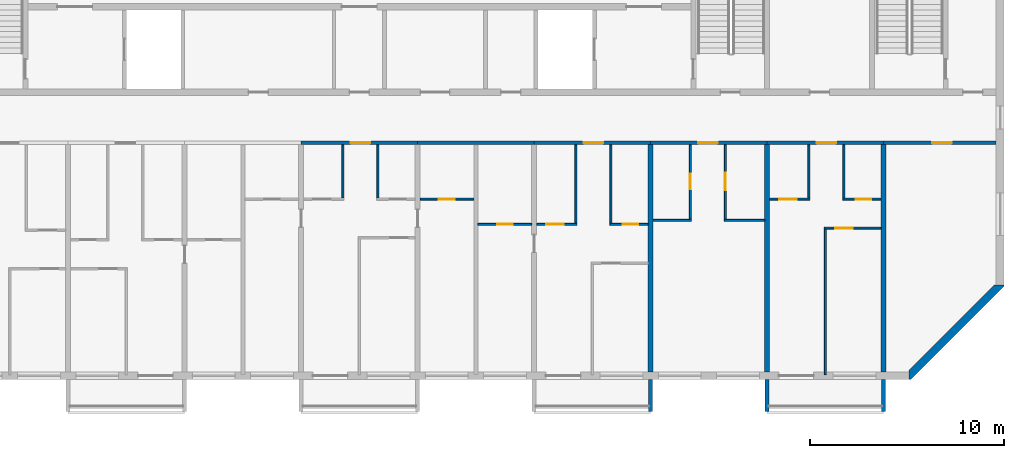
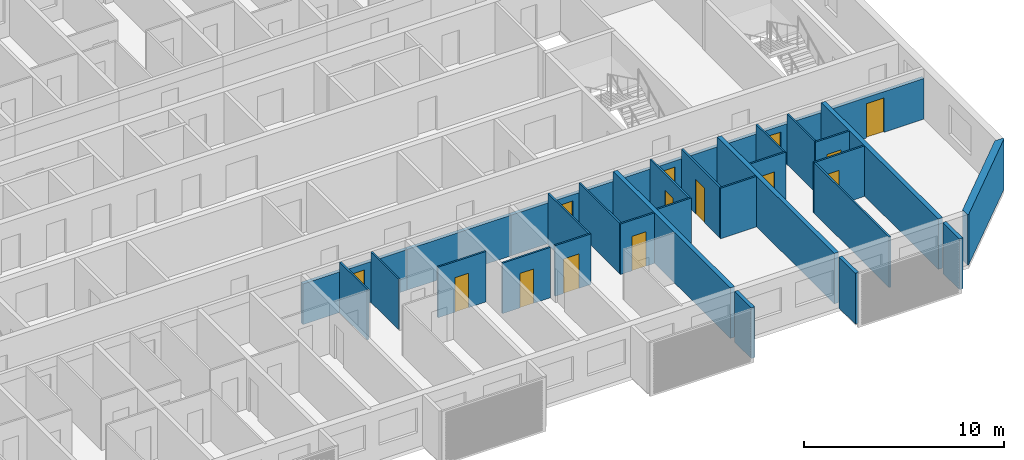
# One storey, part 5 of 26: 31 walls, 14 doors, 14 openings.
"""IFC4 building model written with IfcOpenShell, lengths in metres."""

from ifc_helpers import new_model, si_unit, direction, frame, frame_2d, origin, place, context, subcontext, project, spatial, polyline, rectangle, outline, extrude, source, transform, mapped, material, layer, layer_set, type_object, element, fill, save


model = new_model("IFC4")

# Units and contexts
model_context = context("Model", 3, precision=1e-05, world=origin(), true_north=direction((0.0, 1.0)))
body_context = subcontext(model_context, "Body", "Model", "MODEL_VIEW")
ifc_project = project(units=[si_unit("LENGTHUNIT", "METRE"), si_unit("AREAUNIT", "SQUARE_METRE"), si_unit("VOLUMEUNIT", "CUBIC_METRE"), si_unit("PLANEANGLEUNIT", "RADIAN"), si_unit("MASSUNIT", "GRAM", prefix="KILO")], contexts=[model_context])

# Site, building, storey
site_placement = place(None, origin())
site = spatial("IfcSite", under=ifc_project, at=site_placement, CompositionType="ELEMENT")
building_placement = place(site_placement, origin())
building = spatial("IfcBuilding", under=site, at=building_placement, Name="Poui Terraces", CompositionType="ELEMENT")
storey_placement = place(building_placement, frame((0.0, 0.0, 224.699951171875)))
storey = spatial("IfcBuildingStorey", under=building, at=storey_placement, Name="L62", CompositionType="ELEMENT", Elevation=224.699951171875)

# Wall, opening, door
ifc_material_1 = material(Name="Concrete 50 MPa", Category="concrete")
ifc_layer_1 = layer(ifc_material_1, 0.199951171875)
ifc_layer_set_1 = layer_set([ifc_layer_1], Name="Concrete 50 MPa")
wall_type_1 = type_object("IfcWallType", Name="CORRIDOR WALL 200 50MPa", PredefinedType="SHEAR", material=ifc_layer_set_1)
wall_1_placement = place(storey_placement, frame((48.0, 12.0, 0.0), z_axis=(0.0, 0.0, 1.0), x_axis=(1.0, 0.0, 0.0)))
wall_1 = element("IfcWall", 1, at=wall_1_placement, inside=storey, type_object=wall_type_1, Name="CORRIDOR WALL LINE B BAY 6", PredefinedType="SHEAR", context=body_context, shape_type="SweptSolid", body=[
    extrude(rectangle(XDim=6.0, YDim=0.199951171875, at=frame_2d((3.0, 0.0))), origin(), (0.0, 0.0, 1.0), 2.47998046875),
])
opening_1_placement = place(wall_1_placement, frame((2.550048828125, 0.0, 0.0)))
opening_1 = element("IfcOpeningElement", 2, at=opening_1_placement, cuts=wall_1, Name="Opening FD30S", PredefinedType="OPENING", context=body_context, shape_type="SweptSolid", body=[
    extrude(rectangle(XDim=1.0, YDim=2.10009765625, at=frame_2d((0.5, 1.050048828125))), frame((0.0, 0.10986328125, 0.0), z_axis=(0.0, -1.0, 0.0), x_axis=(1.0, 0.0, 0.0)), (0.0, 0.0, 1.0), 0.219970703125),
])
ifc_material_2 = material(Name="Steel fire door", Category="steel")
door_type_1 = type_object("IfcDoorType", Name="FLAT ENTRANCE DOOR 1000 X 2100", OperationType="NOTDEFINED", PredefinedType="DOOR", material=ifc_material_2)
door_1_placement = place(opening_1_placement, frame((1.0, 0.0, 0.0), z_axis=(0.0, 0.0, 1.0), x_axis=(-1.0, 0.0, 0.0)))
door_1 = element("IfcDoor", 3, at=door_1_placement, inside=storey, type_object=door_type_1, Name="FLAT ENTRANCE DOOR 077", OperationType="SINGLE_SWING_LEFT", OverallHeight=2.10009765625, OverallWidth=1.0, PredefinedType="DOOR", context=body_context, shape_type="SweptSolid", body=[
    extrude(rectangle(XDim=1.0, YDim=2.10009765625, at=frame_2d((0.5, 1.050048828125))), frame((0.0, 0.02490234375, 0.0), z_axis=(0.0, -1.0, 0.0), x_axis=(1.0, 0.0, 0.0)), (0.0, 0.0, 1.0), 0.050048828125),
])
fill(opening_1, door_1)

# Wall
wall_2_placement = place(storey_placement, frame((54.0, 12.0, 0.0), z_axis=(0.0, 0.0, 1.0), x_axis=(1.0, 0.0, 0.0)))
element("IfcWall", 4, at=wall_2_placement, inside=storey, type_object=wall_type_1, Name="CORRIDOR WALL LINE B BAY 7", PredefinedType="SHEAR", context=body_context, shape_type="SweptSolid", body=[
    extrude(rectangle(XDim=6.0, YDim=0.199951171875, at=frame_2d((3.0, 0.0))), origin(), (0.0, 0.0, 1.0), 2.47998046875),
])

# Wall, opening, door
wall_3_placement = place(storey_placement, frame((60.0, 12.0, 0.0), z_axis=(0.0, 0.0, 1.0), x_axis=(1.0, 0.0, 0.0)))
wall_3 = element("IfcWall", 5, at=wall_3_placement, inside=storey, type_object=wall_type_1, Name="CORRIDOR WALL LINE B BAY 8", PredefinedType="SHEAR", context=body_context, shape_type="SweptSolid", body=[
    extrude(rectangle(XDim=6.0, YDim=0.199951171875, at=frame_2d((3.0, 0.0))), origin(), (0.0, 0.0, 1.0), 2.47998046875),
])
opening_2_placement = place(wall_3_placement, frame((2.550048828125, 0.0, 0.0)))
opening_2 = element("IfcOpeningElement", 6, at=opening_2_placement, cuts=wall_3, Name="Opening FD30S", PredefinedType="OPENING", context=body_context, shape_type="SweptSolid", body=[
    extrude(rectangle(XDim=1.0, YDim=2.10009765625, at=frame_2d((0.5, 1.050048828125))), frame((0.0, 0.10986328125, 0.0), z_axis=(0.0, -1.0, 0.0), x_axis=(1.0, 0.0, 0.0)), (0.0, 0.0, 1.0), 0.219970703125),
])
door_2_placement = place(opening_2_placement, frame((1.0, 0.0, 0.0), z_axis=(0.0, 0.0, 1.0), x_axis=(-1.0, 0.0, 0.0)))
door_2 = element("IfcDoor", 7, at=door_2_placement, inside=storey, type_object=door_type_1, Name="FLAT ENTRANCE DOOR 084", OperationType="SINGLE_SWING_LEFT", OverallHeight=2.10009765625, OverallWidth=1.0, PredefinedType="DOOR", context=body_context, shape_type="SweptSolid", body=[
    extrude(rectangle(XDim=1.0, YDim=2.10009765625, at=frame_2d((0.5, 1.050048828125))), frame((0.0, 0.02490234375, 0.0), z_axis=(0.0, -1.0, 0.0), x_axis=(1.0, 0.0, 0.0)), (0.0, 0.0, 1.0), 0.050048828125),
])
fill(opening_2, door_2)

wall_4_placement = place(storey_placement, frame((66.0, 12.0, 0.0), z_axis=(0.0, 0.0, 1.0), x_axis=(1.0, 0.0, 0.0)))
wall_4 = element("IfcWall", 8, at=wall_4_placement, inside=storey, type_object=wall_type_1, Name="CORRIDOR WALL LINE B BAY 9", PredefinedType="SHEAR", context=body_context, shape_type="SweptSolid", body=[
    extrude(rectangle(XDim=6.0, YDim=0.199951171875, at=frame_2d((3.0, 0.0))), origin(), (0.0, 0.0, 1.0), 2.47998046875),
])
opening_3_placement = place(wall_4_placement, frame((2.449951171875, 0.0, 0.0)))
opening_3 = element("IfcOpeningElement", 9, at=opening_3_placement, cuts=wall_4, Name="Opening FD30S", PredefinedType="OPENING", context=body_context, shape_type="SweptSolid", body=[
    extrude(rectangle(XDim=1.0, YDim=2.10009765625, at=frame_2d((0.5, 1.050048828125))), frame((0.0, 0.10986328125, 0.0), z_axis=(0.0, -1.0, 0.0), x_axis=(1.0, 0.0, 0.0)), (0.0, 0.0, 1.0), 0.219970703125),
])
door_3_placement = place(opening_3_placement, frame((1.0, 0.0, 0.0), z_axis=(0.0, 0.0, 1.0), x_axis=(-1.0, 0.0, 0.0)))
door_3 = element("IfcDoor", 10, at=door_3_placement, inside=storey, type_object=door_type_1, Name="FLAT ENTRANCE DOOR 088", OperationType="SINGLE_SWING_RIGHT", OverallHeight=2.10009765625, OverallWidth=1.0, PredefinedType="DOOR", context=body_context, shape_type="SweptSolid", body=[
    extrude(rectangle(XDim=1.0, YDim=2.10009765625, at=frame_2d((0.5, 1.050048828125))), frame((0.0, 0.02490234375, 0.0), z_axis=(0.0, -1.0, 0.0), x_axis=(1.0, 0.0, 0.0)), (0.0, 0.0, 1.0), 0.050048828125),
])
fill(opening_3, door_3)

wall_5_placement = place(storey_placement, frame((72.0, 12.0, 0.0), z_axis=(0.0, 0.0, 1.0), x_axis=(1.0, 0.0, 0.0)))
wall_5 = element("IfcWall", 11, at=wall_5_placement, inside=storey, type_object=wall_type_1, Name="CORRIDOR WALL LINE B BAY 10", PredefinedType="SHEAR", context=body_context, shape_type="SweptSolid", body=[
    extrude(rectangle(XDim=6.0, YDim=0.199951171875, at=frame_2d((3.0, 0.0))), origin(), (0.0, 0.0, 1.0), 2.47998046875),
])
opening_4_placement = place(wall_5_placement, frame((2.550048828125, 0.0, 0.0)))
opening_4 = element("IfcOpeningElement", 12, at=opening_4_placement, cuts=wall_5, Name="Opening FD30S", PredefinedType="OPENING", context=body_context, shape_type="SweptSolid", body=[
    extrude(rectangle(XDim=1.0, YDim=2.10009765625, at=frame_2d((0.5, 1.050048828125))), frame((0.0, 0.10986328125, 0.0), z_axis=(0.0, -1.0, 0.0), x_axis=(1.0, 0.0, 0.0)), (0.0, 0.0, 1.0), 0.219970703125),
])
door_4_placement = place(opening_4_placement, frame((1.0, 0.0, 0.0), z_axis=(0.0, 0.0, 1.0), x_axis=(-1.0, 0.0, 0.0)))
door_4 = element("IfcDoor", 13, at=door_4_placement, inside=storey, type_object=door_type_1, Name="FLAT ENTRANCE DOOR 091", OperationType="SINGLE_SWING_LEFT", OverallHeight=2.10009765625, OverallWidth=1.0, PredefinedType="DOOR", context=body_context, shape_type="SweptSolid", body=[
    extrude(rectangle(XDim=1.0, YDim=2.10009765625, at=frame_2d((0.5, 1.050048828125))), frame((0.0, 0.02490234375, 0.0), z_axis=(0.0, -1.0, 0.0), x_axis=(1.0, 0.0, 0.0)), (0.0, 0.0, 1.0), 0.050048828125),
])
fill(opening_4, door_4)

wall_6_placement = place(storey_placement, frame((78.0, 12.0, 0.0), z_axis=(0.0, 0.0, 1.0), x_axis=(1.0, 0.0, 0.0)))
wall_6 = element("IfcWall", 14, at=wall_6_placement, inside=storey, type_object=wall_type_1, Name="CORRIDOR WALL LINE B BAY 11", PredefinedType="SHEAR", context=body_context, shape_type="SweptSolid", body=[
    extrude(rectangle(XDim=5.800048828125, YDim=0.199951171875, at=frame_2d((2.89990234375, 0.0))), origin(), (0.0, 0.0, 1.0), 2.47998046875),
])
opening_5_placement = place(wall_6_placement, frame((2.5, 0.0, 0.0)))
opening_5 = element("IfcOpeningElement", 15, at=opening_5_placement, cuts=wall_6, Name="Opening D100", PredefinedType="OPENING", context=body_context, shape_type="SweptSolid", body=[
    extrude(rectangle(XDim=1.0, YDim=2.10009765625, at=frame_2d((0.5, 1.050048828125))), frame((0.0, 0.10986328125, 0.0), z_axis=(0.0, -1.0, 0.0), x_axis=(1.0, 0.0, 0.0)), (0.0, 0.0, 1.0), 0.219970703125),
])
ifc_material_3 = material(Name="Solid core timber door", Category="wood")
door_type_2 = type_object("IfcDoorType", Name="ACCESSIBLE INTERNAL DOOR 1000 X 2100", OperationType="NOTDEFINED", PredefinedType="DOOR", material=ifc_material_3)
door_5_placement = place(opening_5_placement, frame((1.0, 0.0, 0.0), z_axis=(0.0, 0.0, 1.0), x_axis=(-1.0, 0.0, 0.0)))
door_5 = element("IfcDoor", 16, at=door_5_placement, inside=storey, type_object=door_type_2, Name="ACCESSIBLE INTERNAL DOOR 094", OperationType="SINGLE_SWING_RIGHT", OverallHeight=2.10009765625, OverallWidth=1.0, PredefinedType="DOOR", context=body_context, shape_type="SweptSolid", body=[
    extrude(rectangle(XDim=1.0, YDim=2.10009765625, at=frame_2d((0.5, 1.050048828125))), frame((0.0, 0.02490234375, 0.0), z_axis=(0.0, -1.0, 0.0), x_axis=(1.0, 0.0, 0.0)), (0.0, 0.0, 1.0), 0.050048828125),
])
fill(opening_5, door_5)

# Walls
ifc_layer_2 = layer(ifc_material_1, 0.25)
ifc_layer_set_2 = layer_set([ifc_layer_2], Name="Concrete 50 MPa")
wall_type_2 = type_object("IfcWallType", Name="CROSS WALL 250 50MPa", PredefinedType="SHEAR", material=ifc_layer_set_2)
for number, where, z_axis, x_axis, name in (
    (17, (66.0, 0.199951171875, 0.0), (0.0, 0.0, 1.0), (0.0, 1.0, 0.0), "CROSS WALL LINE 12 SOUTH"),
    (18, (72.0, 0.199951171875, 0.0), (0.0, 0.0, 1.0), (0.0, 1.0, 0.0), "CROSS WALL LINE 13 SOUTH"),
    (19, (78.0, 0.199951171875, 0.0), (0.0, 0.0, 1.0), (0.0, 1.0, 0.0), "CROSS WALL LINE 14 SOUTH"),
):
    element("IfcWall", number, at=place(storey_placement, frame(where, z_axis=z_axis, x_axis=x_axis)), inside=storey, type_object=wall_type_2, Name=name, PredefinedType="SHEAR", context=body_context, shape_type="SweptSolid", body=[
        extrude(rectangle(XDim=11.699951171875, YDim=0.25, at=frame_2d((5.85009765625, 0.0))), origin(), (0.0, 0.0, 1.0), 3.080078125),
    ])

# Wall, opening, door
ifc_material_4 = material(Name="Plasterboard partition")
ifc_layer_3 = layer(ifc_material_4, 0.10009765625)
ifc_layer_set_3 = layer_set([ifc_layer_3], Name="Plasterboard partition")
wall_type_3 = type_object("IfcWallType", Name="FLAT PARTITION 100", PredefinedType="PARTITIONING", material=ifc_layer_set_3)
wall_7_placement = place(storey_placement, frame((74.949951171875, 7.60009765625, 0.0), z_axis=(0.0, 0.0, 1.0), x_axis=(1.0, 0.0, 0.0)))
wall_7 = element("IfcWall", 20, at=wall_7_placement, inside=storey, type_object=wall_type_3, Name="FLAT PARTITION 100", PredefinedType="PARTITIONING", context=body_context, shape_type="SweptSolid", body=[
    extrude(rectangle(XDim=2.9150390625, YDim=0.10009765625, at=frame_2d((1.45751953125, 0.0))), origin(), (0.0, 0.0, 1.0), 3.080078125),
])
opening_6_placement = place(wall_7_placement, frame((0.550048828125, 0.0, 0.0)))
opening_6 = element("IfcOpeningElement", 21, at=opening_6_placement, cuts=wall_7, Name="Opening D90", PredefinedType="OPENING", context=body_context, shape_type="SweptSolid", body=[
    extrude(rectangle(XDim=0.89990234375, YDim=2.10009765625, at=frame_2d((0.449951171875, 1.050048828125))), frame((0.0, 0.06005859375, 0.0), z_axis=(0.0, -1.0, 0.0), x_axis=(1.0, 0.0, 0.0)), (0.0, 0.0, 1.0), 0.1201171875),
])
door_type_3 = type_object("IfcDoorType", Name="INTERNAL DOOR 900 X 2100", OperationType="NOTDEFINED", PredefinedType="DOOR", material=ifc_material_3)
door_6_placement = place(opening_6_placement, origin())
door_6 = element("IfcDoor", 22, at=door_6_placement, inside=storey, type_object=door_type_3, Name="INTERNAL DOOR 092", OperationType="SINGLE_SWING_RIGHT", OverallHeight=2.10009765625, OverallWidth=0.89990234375, PredefinedType="DOOR", context=body_context, shape_type="SweptSolid", body=[
    extrude(rectangle(XDim=0.89990234375, YDim=2.10009765625, at=frame_2d((0.449951171875, 1.050048828125))), frame((0.0, 0.02490234375, 0.0), z_axis=(0.0, -1.0, 0.0), x_axis=(1.0, 0.0, 0.0)), (0.0, 0.0, 1.0), 0.050048828125),
])
fill(opening_6, door_6)

wall_8_placement = place(storey_placement, frame((57.10009765625, 7.800048828125, 0.0), z_axis=(0.0, 0.0, 1.0), x_axis=(1.0, 0.0, 0.0)))
wall_8 = element("IfcWall", 23, at=wall_8_placement, inside=storey, type_object=wall_type_3, Name="FLAT PARTITION 100", PredefinedType="PARTITIONING", context=body_context, shape_type="SweptSolid", body=[
    extrude(rectangle(XDim=2.764892578125, YDim=0.10009765625, at=frame_2d((1.38232421875, 0.0))), origin(), (0.0, 0.0, 1.0), 3.080078125),
])
opening_7_placement = place(wall_8_placement, frame((1.0, 0.0, 0.0)))
opening_7 = element("IfcOpeningElement", 24, at=opening_7_placement, cuts=wall_8, Name="Opening D80", PredefinedType="OPENING", context=body_context, shape_type="SweptSolid", body=[
    extrude(rectangle(XDim=0.800048828125, YDim=2.10009765625, at=frame_2d((0.39990234375, 1.050048828125))), frame((0.0, 0.06005859375, 0.0), z_axis=(0.0, -1.0, 0.0), x_axis=(1.0, 0.0, 0.0)), (0.0, 0.0, 1.0), 0.1201171875),
])
door_type_4 = type_object("IfcDoorType", Name="BATHROOM, LAUNDRY AND STORE DOOR 800 X 2100", OperationType="NOTDEFINED", PredefinedType="DOOR", material=ifc_material_3)
door_7_placement = place(opening_7_placement, origin())
door_7 = element("IfcDoor", 25, at=door_7_placement, inside=storey, type_object=door_type_4, Name="BATHROOM, LAUNDRY AND STORE DOOR 081", OperationType="SINGLE_SWING_RIGHT", OverallHeight=2.10009765625, OverallWidth=0.800048828125, PredefinedType="DOOR", context=body_context, shape_type="SweptSolid", body=[
    extrude(rectangle(XDim=0.800048828125, YDim=2.10009765625, at=frame_2d((0.39990234375, 1.050048828125))), frame((0.0, 0.02490234375, 0.0), z_axis=(0.0, -1.0, 0.0), x_axis=(1.0, 0.0, 0.0)), (0.0, 0.0, 1.0), 0.050048828125),
])
fill(opening_7, door_7)

wall_9_placement = place(storey_placement, frame((60.135009765625, 7.800048828125, 0.0), z_axis=(0.0, 0.0, 1.0), x_axis=(1.0, 0.0, 0.0)))
wall_9 = element("IfcWall", 26, at=wall_9_placement, inside=storey, type_object=wall_type_3, Name="FLAT PARTITION 100", PredefinedType="PARTITIONING", context=body_context, shape_type="SweptSolid", body=[
    extrude(rectangle(XDim=2.06494140625, YDim=0.10009765625, at=frame_2d((1.032470703125, 0.0))), origin(), (0.0, 0.0, 1.0), 3.080078125),
])
opening_8_placement = place(wall_9_placement, frame((0.489990234375, 0.0, 0.0)))
opening_8 = element("IfcOpeningElement", 27, at=opening_8_placement, cuts=wall_9, Name="Opening D90", PredefinedType="OPENING", context=body_context, shape_type="SweptSolid", body=[
    extrude(rectangle(XDim=0.89990234375, YDim=2.10009765625, at=frame_2d((0.449951171875, 1.050048828125))), frame((0.0, 0.06005859375, 0.0), z_axis=(0.0, -1.0, 0.0), x_axis=(1.0, 0.0, 0.0)), (0.0, 0.0, 1.0), 0.1201171875),
])
door_8_placement = place(opening_8_placement, origin())
door_8 = element("IfcDoor", 28, at=door_8_placement, inside=storey, type_object=door_type_3, Name="INTERNAL DOOR 083", OperationType="SINGLE_SWING_RIGHT", OverallHeight=2.10009765625, OverallWidth=0.89990234375, PredefinedType="DOOR", context=body_context, shape_type="SweptSolid", body=[
    extrude(rectangle(XDim=0.89990234375, YDim=2.10009765625, at=frame_2d((0.449951171875, 1.050048828125))), frame((0.0, 0.02490234375, 0.0), z_axis=(0.0, -1.0, 0.0), x_axis=(1.0, 0.0, 0.0)), (0.0, 0.0, 1.0), 0.050048828125),
])
fill(opening_8, door_8)

wall_10_placement = place(storey_placement, frame((63.89990234375, 7.800048828125, 0.0), z_axis=(0.0, 0.0, 1.0), x_axis=(1.0, 0.0, 0.0)))
wall_10 = element("IfcWall", 29, at=wall_10_placement, inside=storey, type_object=wall_type_3, Name="FLAT PARTITION 100", PredefinedType="PARTITIONING", context=body_context, shape_type="SweptSolid", body=[
    extrude(rectangle(XDim=1.965087890625, YDim=0.10009765625, at=frame_2d((0.982421875, 0.0))), origin(), (0.0, 0.0, 1.0), 3.080078125),
])
opening_9_placement = place(wall_10_placement, frame((0.675048828125, 0.0, 0.0)))
opening_9 = element("IfcOpeningElement", 30, at=opening_9_placement, cuts=wall_10, Name="Opening D80", PredefinedType="OPENING", context=body_context, shape_type="SweptSolid", body=[
    extrude(rectangle(XDim=0.800048828125, YDim=2.10009765625, at=frame_2d((0.39990234375, 1.050048828125))), frame((0.0, 0.06005859375, 0.0), z_axis=(0.0, -1.0, 0.0), x_axis=(1.0, 0.0, 0.0)), (0.0, 0.0, 1.0), 0.1201171875),
])
door_9_placement = place(opening_9_placement, origin())
door_9 = element("IfcDoor", 31, at=door_9_placement, inside=storey, type_object=door_type_4, Name="BATHROOM, LAUNDRY AND STORE DOOR 086", OperationType="SINGLE_SWING_LEFT", OverallHeight=2.10009765625, OverallWidth=0.800048828125, PredefinedType="DOOR", context=body_context, shape_type="SweptSolid", body=[
    extrude(rectangle(XDim=0.800048828125, YDim=2.10009765625, at=frame_2d((0.39990234375, 1.050048828125))), frame((0.0, 0.02490234375, 0.0), z_axis=(0.0, -1.0, 0.0), x_axis=(1.0, 0.0, 0.0)), (0.0, 0.0, 1.0), 0.050048828125),
])
fill(opening_9, door_9)

# Walls
wall_11_placement = place(storey_placement, frame((66.135009765625, 8.0, 0.0), z_axis=(0.0, 0.0, 1.0), x_axis=(1.0, 0.0, 0.0)))
element("IfcWall", 32, at=wall_11_placement, inside=storey, type_object=wall_type_3, Name="FLAT PARTITION 100", PredefinedType="PARTITIONING", context=body_context, shape_type="SweptSolid", body=[
    extrude(rectangle(XDim=1.965087890625, YDim=0.10009765625, at=frame_2d((0.982421875, 0.0))), origin(), (0.0, 0.0, 1.0), 3.080078125),
])
wall_12_placement = place(storey_placement, frame((69.800048828125, 8.0, 0.0), z_axis=(0.0, 0.0, 1.0), x_axis=(1.0, 0.0, 0.0)))
element("IfcWall", 33, at=wall_12_placement, inside=storey, type_object=wall_type_3, Name="FLAT PARTITION 100", PredefinedType="PARTITIONING", context=body_context, shape_type="SweptSolid", body=[
    extrude(rectangle(XDim=2.06494140625, YDim=0.10009765625, at=frame_2d((1.032470703125, 0.0))), origin(), (0.0, 0.0, 1.0), 3.080078125),
])

# Wall, opening, door
wall_13_placement = place(storey_placement, frame((54.135009765625, 9.10009765625, 0.0), z_axis=(0.0, 0.0, 1.0), x_axis=(1.0, 0.0, 0.0)))
wall_13 = element("IfcWall", 34, at=wall_13_placement, inside=storey, type_object=wall_type_3, Name="FLAT PARTITION 100", PredefinedType="PARTITIONING", context=body_context, shape_type="SweptSolid", body=[
    extrude(rectangle(XDim=2.764892578125, YDim=0.10009765625, at=frame_2d((1.38232421875, 0.0))), origin(), (0.0, 0.0, 1.0), 3.080078125),
])
opening_10_placement = place(wall_13_placement, frame((0.965087890625, 0.0, 0.0)))
opening_10 = element("IfcOpeningElement", 35, at=opening_10_placement, cuts=wall_13, Name="Opening D80", PredefinedType="OPENING", context=body_context, shape_type="SweptSolid", body=[
    extrude(rectangle(XDim=0.800048828125, YDim=2.10009765625, at=frame_2d((0.39990234375, 1.050048828125))), frame((0.0, 0.06005859375, 0.0), z_axis=(0.0, -1.0, 0.0), x_axis=(1.0, 0.0, 0.0)), (0.0, 0.0, 1.0), 0.1201171875),
])
door_10_placement = place(opening_10_placement, origin())
door_10 = element("IfcDoor", 36, at=door_10_placement, inside=storey, type_object=door_type_4, Name="BATHROOM, LAUNDRY AND STORE DOOR 074", OperationType="SINGLE_SWING_LEFT", OverallHeight=2.10009765625, OverallWidth=0.800048828125, PredefinedType="DOOR", context=body_context, shape_type="SweptSolid", body=[
    extrude(rectangle(XDim=0.800048828125, YDim=2.10009765625, at=frame_2d((0.39990234375, 1.050048828125))), frame((0.0, 0.02490234375, 0.0), z_axis=(0.0, -1.0, 0.0), x_axis=(1.0, 0.0, 0.0)), (0.0, 0.0, 1.0), 0.050048828125),
])
fill(opening_10, door_10)

wall_14_placement = place(storey_placement, frame((72.135009765625, 9.10009765625, 0.0), z_axis=(0.0, 0.0, 1.0), x_axis=(1.0, 0.0, 0.0)))
wall_14 = element("IfcWall", 37, at=wall_14_placement, inside=storey, type_object=wall_type_3, Name="FLAT PARTITION 100", PredefinedType="PARTITIONING", context=body_context, shape_type="SweptSolid", body=[
    extrude(rectangle(XDim=2.06494140625, YDim=0.10009765625, at=frame_2d((1.032470703125, 0.0))), origin(), (0.0, 0.0, 1.0), 3.080078125),
])
opening_11_placement = place(wall_14_placement, frame((0.489990234375, 0.0, 0.0)))
opening_11 = element("IfcOpeningElement", 38, at=opening_11_placement, cuts=wall_14, Name="Opening D90", PredefinedType="OPENING", context=body_context, shape_type="SweptSolid", body=[
    extrude(rectangle(XDim=0.89990234375, YDim=2.10009765625, at=frame_2d((0.449951171875, 1.050048828125))), frame((0.0, 0.06005859375, 0.0), z_axis=(0.0, -1.0, 0.0), x_axis=(1.0, 0.0, 0.0)), (0.0, 0.0, 1.0), 0.1201171875),
])
door_11_placement = place(opening_11_placement, origin())
door_11 = element("IfcDoor", 39, at=door_11_placement, inside=storey, type_object=door_type_3, Name="INTERNAL DOOR 090", OperationType="SINGLE_SWING_RIGHT", OverallHeight=2.10009765625, OverallWidth=0.89990234375, PredefinedType="DOOR", context=body_context, shape_type="SweptSolid", body=[
    extrude(rectangle(XDim=0.89990234375, YDim=2.10009765625, at=frame_2d((0.449951171875, 1.050048828125))), frame((0.0, 0.02490234375, 0.0), z_axis=(0.0, -1.0, 0.0), x_axis=(1.0, 0.0, 0.0)), (0.0, 0.0, 1.0), 0.050048828125),
])
fill(opening_11, door_11)

wall_15_placement = place(storey_placement, frame((75.89990234375, 9.10009765625, 0.0), z_axis=(0.0, 0.0, 1.0), x_axis=(1.0, 0.0, 0.0)))
wall_15 = element("IfcWall", 40, at=wall_15_placement, inside=storey, type_object=wall_type_3, Name="FLAT PARTITION 100", PredefinedType="PARTITIONING", context=body_context, shape_type="SweptSolid", body=[
    extrude(rectangle(XDim=1.965087890625, YDim=0.10009765625, at=frame_2d((0.982421875, 0.0))), origin(), (0.0, 0.0, 1.0), 3.080078125),
])
opening_12_placement = place(wall_15_placement, frame((0.675048828125, 0.0, 0.0)))
opening_12 = element("IfcOpeningElement", 41, at=opening_12_placement, cuts=wall_15, Name="Opening D80", PredefinedType="OPENING", context=body_context, shape_type="SweptSolid", body=[
    extrude(rectangle(XDim=0.800048828125, YDim=2.10009765625, at=frame_2d((0.39990234375, 1.050048828125))), frame((0.0, 0.06005859375, 0.0), z_axis=(0.0, -1.0, 0.0), x_axis=(1.0, 0.0, 0.0)), (0.0, 0.0, 1.0), 0.1201171875),
])
door_12_placement = place(opening_12_placement, origin())
door_12 = element("IfcDoor", 42, at=door_12_placement, inside=storey, type_object=door_type_4, Name="BATHROOM, LAUNDRY AND STORE DOOR 093", OperationType="SINGLE_SWING_LEFT", OverallHeight=2.10009765625, OverallWidth=0.800048828125, PredefinedType="DOOR", context=body_context, shape_type="SweptSolid", body=[
    extrude(rectangle(XDim=0.800048828125, YDim=2.10009765625, at=frame_2d((0.39990234375, 1.050048828125))), frame((0.0, 0.02490234375, 0.0), z_axis=(0.0, -1.0, 0.0), x_axis=(1.0, 0.0, 0.0)), (0.0, 0.0, 1.0), 0.050048828125),
])
fill(opening_12, door_12)

# Walls
for number, where, z_axis, x_axis, name in (
    (43, (50.14990234375, 9.14990234375, 0.0), (0.0, 0.0, 1.0), (0.0, 1.0, 0.0), "FLAT PARTITION 100"),
    (44, (51.949951171875, 9.14990234375, 0.0), (0.0, 0.0, 1.0), (0.0, 1.0, 0.0), "FLAT PARTITION 100"),
):
    element("IfcWall", number, at=place(storey_placement, frame(where, z_axis=z_axis, x_axis=x_axis)), inside=storey, type_object=wall_type_3, Name=name, PredefinedType="PARTITIONING", context=body_context, shape_type="SweptSolid", body=[
        extrude(rectangle(XDim=2.739990234375, YDim=0.10009765625, at=frame_2d((1.3701171875, 0.0))), origin(), (0.0, 0.0, 1.0), 3.080078125),
    ])
for number, where, z_axis, x_axis, name in (
    (45, (62.14990234375, 7.85009765625, 0.0), (0.0, 0.0, 1.0), (0.0, 1.0, 0.0), "FLAT PARTITION 100"),
    (46, (63.949951171875, 7.85009765625, 0.0), (0.0, 0.0, 1.0), (0.0, 1.0, 0.0), "FLAT PARTITION 100"),
):
    element("IfcWall", number, at=place(storey_placement, frame(where, z_axis=z_axis, x_axis=x_axis)), inside=storey, type_object=wall_type_3, Name=name, PredefinedType="PARTITIONING", context=body_context, shape_type="SweptSolid", body=[
        extrude(rectangle(XDim=4.039794921875, YDim=0.10009765625, at=frame_2d((2.02001953125, 0.0))), origin(), (0.0, 0.0, 1.0), 3.080078125),
    ])

# Wall, opening, door
wall_16_placement = place(storey_placement, frame((68.050048828125, 8.050048828125, 0.0), z_axis=(0.0, 0.0, 1.0), x_axis=(0.0, 1.0, 0.0)))
wall_16 = element("IfcWall", 47, at=wall_16_placement, inside=storey, type_object=wall_type_3, Name="FLAT PARTITION 100", PredefinedType="PARTITIONING", context=body_context, shape_type="SweptSolid", body=[
    extrude(rectangle(XDim=3.83984375, YDim=0.10009765625, at=frame_2d((1.919921875, 0.0))), origin(), (0.0, 0.0, 1.0), 3.080078125),
])
opening_13_placement = place(wall_16_placement, frame((1.550048828125, 0.0, 0.0)))
opening_13 = element("IfcOpeningElement", 48, at=opening_13_placement, cuts=wall_16, Name="Opening D80", PredefinedType="OPENING", context=body_context, shape_type="SweptSolid", body=[
    extrude(rectangle(XDim=0.800048828125, YDim=2.10009765625, at=frame_2d((0.39990234375, 1.050048828125))), frame((0.0, 0.06005859375, 0.0), z_axis=(0.0, -1.0, 0.0), x_axis=(1.0, 0.0, 0.0)), (0.0, 0.0, 1.0), 0.1201171875),
])
door_13_placement = place(opening_13_placement, origin())
door_13 = element("IfcDoor", 49, at=door_13_placement, inside=storey, type_object=door_type_4, Name="BATHROOM, LAUNDRY AND STORE DOOR 087", OperationType="SINGLE_SWING_RIGHT", OverallHeight=2.10009765625, OverallWidth=0.800048828125, PredefinedType="DOOR", context=body_context, shape_type="SweptSolid", body=[
    extrude(rectangle(XDim=0.800048828125, YDim=2.10009765625, at=frame_2d((0.39990234375, 1.050048828125))), frame((0.0, 0.02490234375, 0.0), z_axis=(0.0, -1.0, 0.0), x_axis=(1.0, 0.0, 0.0)), (0.0, 0.0, 1.0), 0.050048828125),
])
fill(opening_13, door_13)

wall_17_placement = place(storey_placement, frame((69.85009765625, 8.050048828125, 0.0), z_axis=(0.0, 0.0, 1.0), x_axis=(0.0, 1.0, 0.0)))
wall_17 = element("IfcWall", 50, at=wall_17_placement, inside=storey, type_object=wall_type_3, Name="FLAT PARTITION 100", PredefinedType="PARTITIONING", context=body_context, shape_type="SweptSolid", body=[
    extrude(rectangle(XDim=3.83984375, YDim=0.10009765625, at=frame_2d((1.919921875, 0.0))), origin(), (0.0, 0.0, 1.0), 3.080078125),
])
opening_14_placement = place(wall_17_placement, frame((1.5, 0.0, 0.0)))
opening_14 = element("IfcOpeningElement", 51, at=opening_14_placement, cuts=wall_17, Name="Opening D90", PredefinedType="OPENING", context=body_context, shape_type="SweptSolid", body=[
    extrude(rectangle(XDim=0.89990234375, YDim=2.10009765625, at=frame_2d((0.449951171875, 1.050048828125))), frame((0.0, 0.06005859375, 0.0), z_axis=(0.0, -1.0, 0.0), x_axis=(1.0, 0.0, 0.0)), (0.0, 0.0, 1.0), 0.1201171875),
])
door_14_placement = place(opening_14_placement, frame((0.89990234375, 0.0, 0.0), z_axis=(0.0, 0.0, 1.0), x_axis=(-1.0, 0.0, 0.0)))
door_14 = element("IfcDoor", 52, at=door_14_placement, inside=storey, type_object=door_type_3, Name="INTERNAL DOOR 089", OperationType="SINGLE_SWING_RIGHT", OverallHeight=2.10009765625, OverallWidth=0.89990234375, PredefinedType="DOOR", context=body_context, shape_type="SweptSolid", body=[
    extrude(rectangle(XDim=0.89990234375, YDim=2.10009765625, at=frame_2d((0.449951171875, 1.050048828125))), frame((0.0, 0.02490234375, 0.0), z_axis=(0.0, -1.0, 0.0), x_axis=(1.0, 0.0, 0.0)), (0.0, 0.0, 1.0), 0.050048828125),
])
fill(opening_14, door_14)

# Walls
wall_18_placement = place(storey_placement, frame((74.14990234375, 9.14990234375, 0.0), z_axis=(0.0, 0.0, 1.0), x_axis=(0.0, 1.0, 0.0)))
element("IfcWall", 53, at=wall_18_placement, inside=storey, type_object=wall_type_3, Name="FLAT PARTITION 100", PredefinedType="PARTITIONING", context=body_context, shape_type="SweptSolid", body=[
    extrude(rectangle(XDim=2.739990234375, YDim=0.10009765625, at=frame_2d((1.3701171875, 0.0))), origin(), (0.0, 0.0, 1.0), 3.080078125),
])
wall_19_placement = place(storey_placement, frame((75.0, 0.06005859375, 0.0), z_axis=(0.0, 0.0, 1.0), x_axis=(0.0, 1.0, 0.0)))
element("IfcWall", 54, at=wall_19_placement, inside=storey, type_object=wall_type_3, Name="FLAT PARTITION 100", PredefinedType="PARTITIONING", context=body_context, shape_type="SweptSolid", body=[
    extrude(rectangle(XDim=7.489990234375, YDim=0.10009765625, at=frame_2d((3.7451171875, 0.0))), origin(), (0.0, 0.0, 1.0), 3.080078125),
])
wall_20_placement = place(storey_placement, frame((75.949951171875, 9.14990234375, 0.0), z_axis=(0.0, 0.0, 1.0), x_axis=(0.0, 1.0, 0.0)))
element("IfcWall", 55, at=wall_20_placement, inside=storey, type_object=wall_type_3, Name="FLAT PARTITION 100", PredefinedType="PARTITIONING", context=body_context, shape_type="SweptSolid", body=[
    extrude(rectangle(XDim=2.739990234375, YDim=0.10009765625, at=frame_2d((1.3701171875, 0.0))), origin(), (0.0, 0.0, 1.0), 3.080078125),
])
ifc_material_5 = material(Name="Precast concrete 40 MPa", Category="concrete")
ifc_layer_4 = layer(ifc_material_5, 0.39990234375)
ifc_layer_set_4 = layer_set([ifc_layer_4], Name="Precast concrete 40 MPa")
wall_type_4 = type_object("IfcWallType", Name="TERRACOTTA CLAD CHAMFER WALL 400", PredefinedType="STANDARD", material=ifc_layer_set_4)
wall_21_placement = place(storey_placement, origin())
element("IfcWall", 56, at=wall_21_placement, inside=storey, type_object=wall_type_4, Name="CHAMFER WALL CH01", PredefinedType="STANDARD", context=body_context, shape_type="SweptSolid", body=[
    extrude(outline(polyline([(79.317138671875, -0.199951171875), (79.39990234375, -0.199951171875), (84.199951171875, 4.60009765625), (84.199951171875, 4.682861328125), (83.71728515625, 4.682861328125), (79.317138671875, 0.28271484375), (79.317138671875, -0.199951171875)])), origin(), (0.0, 0.0, 1.0), 3.080078125),
])
ifc_layer_5 = layer(ifc_material_5, 0.199951171875)
ifc_layer_set_5 = layer_set([ifc_layer_5], Name="Precast concrete 40 MPa")
wall_type_5 = type_object("IfcWallType", Name="REAR FIN 200", PredefinedType="STANDARD", material=ifc_layer_set_5)
shared_shape = source(origin(), body_context, "Body", "SweptSolid", [
    extrude(outline(polyline([(0.0, 0.0), (0.2001953125, 0.0), (0.2001953125, 1.650146484375), (0.0, 1.650146484375), (0.0, 0.0)])), origin(), (0.0, 0.0, 1.0), 3.10009765625),
])
for number, where, name in (
    (57, (65.89990234375, -1.85009765625, 0.0), "REAR FIN"),
    (58, (71.89990234375, -1.85009765625, 0.0), "REAR FIN"),
    (59, (77.89990234375, -1.85009765625, 0.0), "REAR FIN"),
):
    element("IfcWall", number, at=place(storey_placement, frame(where)), inside=storey, type_object=wall_type_5, Name=name, PredefinedType="STANDARD", context=body_context, shape_type="MappedRepresentation", body=[
        mapped(shared_shape, transform((0.0, 0.0, 0.0))),
    ])

save(model, "model.ifc")
